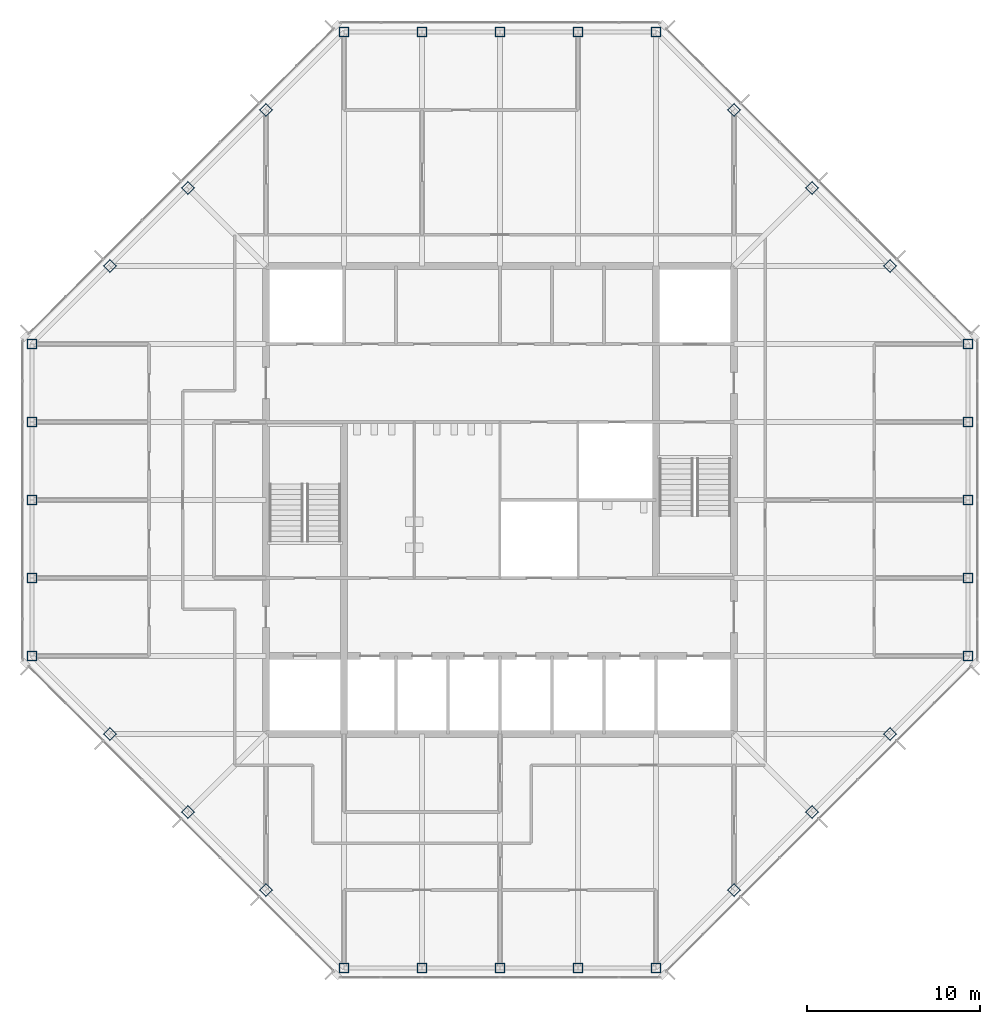
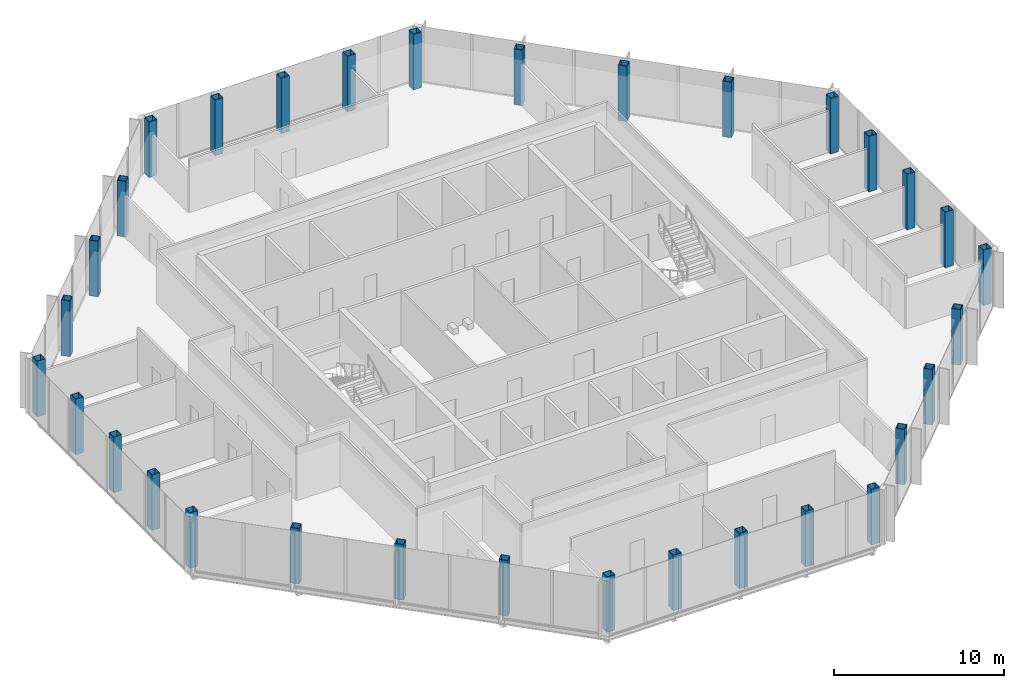
# One storey, part 1 of 14: 32 columns.
"""IFC4 building model written with IfcOpenShell, lengths in metres."""

from ifc_helpers import new_model, si_unit, direction, frame, origin, origin_2d, place, context, subcontext, project, spatial, hollow_rectangle, extrude, material, material_profile, profile_set, type_object, element, save


model = new_model("IFC4")

# Units and contexts
model_context = context("Model", 3, precision=1e-05, world=origin(), true_north=direction((0.0, 1.0)))
body_context = subcontext(model_context, "Body", "Model", "MODEL_VIEW")
ifc_project = project(units=[si_unit("LENGTHUNIT", "METRE"), si_unit("AREAUNIT", "SQUARE_METRE"), si_unit("VOLUMEUNIT", "CUBIC_METRE"), si_unit("PLANEANGLEUNIT", "RADIAN"), si_unit("MASSUNIT", "GRAM", prefix="KILO")], contexts=[model_context])

# Site, building, storey
site_placement = place(None, origin())
site = spatial("IfcSite", under=ifc_project, at=site_placement, CompositionType="ELEMENT")
building_placement = place(site_placement, origin())
building = spatial("IfcBuilding", under=site, at=building_placement, Name="Corais Broadcast Tower", CompositionType="ELEMENT")
storey_placement = place(building_placement, frame((0.0, 0.0, 298.60009765625)))
storey = spatial("IfcBuildingStorey", under=building, at=storey_placement, Name="L70", CompositionType="ELEMENT", Elevation=298.60009765625)

# Columns
ifc_material = material(Name="Steel ASTM A572 Grade 50", Category="steel")
ifc_material_profile = material_profile(ifc_material, hollow_rectangle(XDim=0.550048828125, YDim=0.550048828125, WallThickness=0.02490234375, at=origin_2d()), Name="BOX 550x550x25")
ifc_profile_set = profile_set([ifc_material_profile], Name="Steel ASTM A572 Grade 50")
column_type = type_object("IfcColumnType", Name="Column BOX 550x550x25", PredefinedType="COLUMN", material=ifc_profile_set)
for number, where, z_axis, x_axis, name in (
    (1, (18.0, 0.0, 0.0), (0.0, 0.0, 1.0), (1.0, 0.0, 0.0), "C8 A/7"),
    (2, (22.5, 0.0, 0.0), (0.0, 0.0, 1.0), (1.0, 0.0, 0.0), "C8 A/8"),
    (3, (27.0, 0.0, 0.0), (0.0, 0.0, 1.0), (1.0, 0.0, 0.0), "C8 A/9"),
    (4, (31.5, 0.0, 0.0), (0.0, 0.0, 1.0), (1.0, 0.0, 0.0), "C8 A/10"),
    (5, (36.0, 0.0, 0.0), (0.0, 0.0, 1.0), (1.0, 0.0, 0.0), "C8 A/11"),
    (6, (54.0, 18.0, 0.0), (0.0, 0.0, 1.0), (1.0, 0.0, 0.0), "C8 E/15"),
    (7, (54.0, 22.5, 0.0), (0.0, 0.0, 1.0), (1.0, 0.0, 0.0), "C8 F/15"),
    (8, (54.0, 27.0, 0.0), (0.0, 0.0, 1.0), (1.0, 0.0, 0.0), "C8 G/15"),
    (9, (54.0, 31.5, 0.0), (0.0, 0.0, 1.0), (1.0, 0.0, 0.0), "C8 H/15"),
    (10, (54.0, 36.0, 0.0), (0.0, 0.0, 1.0), (1.0, 0.0, 0.0), "C8 J/15"),
    (11, (36.0, 54.0, 0.0), (0.0, 0.0, 1.0), (1.0, 0.0, 0.0), "C8 N/11"),
    (12, (31.5, 54.0, 0.0), (0.0, 0.0, 1.0), (1.0, 0.0, 0.0), "C8 N/10"),
    (13, (27.0, 54.0, 0.0), (0.0, 0.0, 1.0), (1.0, 0.0, 0.0), "C8 N/9"),
    (14, (22.5, 54.0, 0.0), (0.0, 0.0, 1.0), (1.0, 0.0, 0.0), "C8 N/8"),
    (15, (18.0, 54.0, 0.0), (0.0, 0.0, 1.0), (1.0, 0.0, 0.0), "C8 N/7"),
    (16, (0.0, 36.0, 0.0), (0.0, 0.0, 1.0), (1.0, 0.0, 0.0), "C8 J/3"),
    (17, (0.0, 31.5, 0.0), (0.0, 0.0, 1.0), (1.0, 0.0, 0.0), "C8 H/3"),
    (18, (0.0, 27.0, 0.0), (0.0, 0.0, 1.0), (1.0, 0.0, 0.0), "C8 G/3"),
    (19, (0.0, 22.5, 0.0), (0.0, 0.0, 1.0), (1.0, 0.0, 0.0), "C8 F/3"),
    (20, (0.0, 18.0, 0.0), (0.0, 0.0, 1.0), (1.0, 0.0, 0.0), "C8 E/3"),
    (21, (13.5, 4.5, 0.0), (0.0, 0.0, 1.0), (0.707106781187, 0.707106781187, 0.0), "C8 B/6"),
    (22, (9.0, 9.0, 0.0), (0.0, 0.0, 1.0), (0.707106781187, 0.707106781187, 0.0), "C8 C/5"),
    (23, (4.5, 13.5, 0.0), (0.0, 0.0, 1.0), (0.707106781187, 0.707106781187, 0.0), "C8 D/4"),
    (24, (40.5, 4.5, 0.0), (0.0, 0.0, 1.0), (0.707106781187, 0.707106781187, 0.0), "C8 B/12"),
    (25, (45.0, 9.0, 0.0), (0.0, 0.0, 1.0), (0.707106781187, 0.707106781187, 0.0), "C8 C/13"),
    (26, (49.5, 13.5, 0.0), (0.0, 0.0, 1.0), (0.707106781187, 0.707106781187, 0.0), "C8 D/14"),
    (27, (49.5, 40.5, 0.0), (0.0, 0.0, 1.0), (0.707106781187, 0.707106781187, 0.0), "C8 K/14"),
    (28, (45.0, 45.0, 0.0), (0.0, 0.0, 1.0), (0.707106781187, 0.707106781187, 0.0), "C8 L/13"),
    (29, (40.5, 49.5, 0.0), (0.0, 0.0, 1.0), (0.707106781187, 0.707106781187, 0.0), "C8 M/12"),
    (30, (4.5, 40.5, 0.0), (0.0, 0.0, 1.0), (0.707106781187, 0.707106781187, 0.0), "C8 K/4"),
    (31, (9.0, 45.0, 0.0), (0.0, 0.0, 1.0), (0.707106781187, 0.707106781187, 0.0), "C8 L/5"),
    (32, (13.5, 49.5, 0.0), (0.0, 0.0, 1.0), (0.707106781187, 0.707106781187, 0.0), "C8 M/6"),
):
    element("IfcColumn", number, at=place(storey_placement, frame(where, z_axis=z_axis, x_axis=x_axis)), inside=storey, type_object=column_type, Name=name, PredefinedType="COLUMN", context=body_context, shape_type="SweptSolid", body=[
        extrude(hollow_rectangle(XDim=0.550048828125, YDim=0.550048828125, WallThickness=0.02490234375, at=origin_2d()), origin(), (0.0, 0.0, 1.0), 4.0),
    ])

save(model, "model.ifc")
